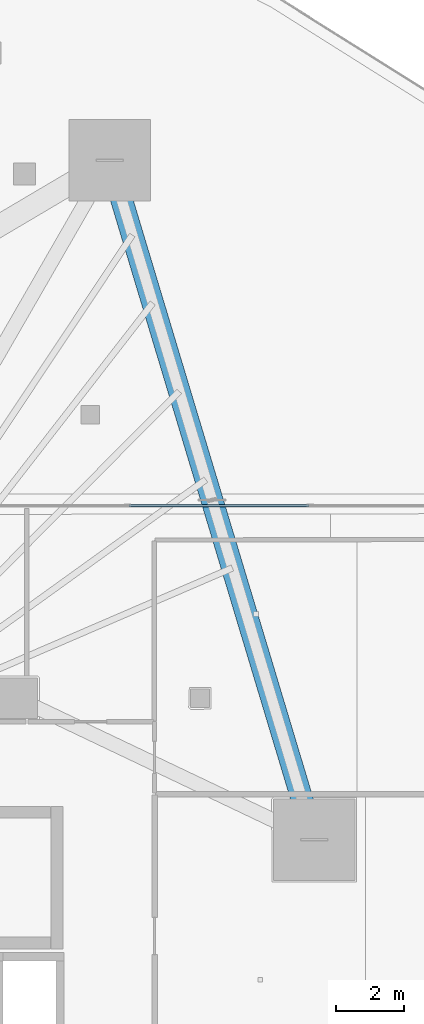
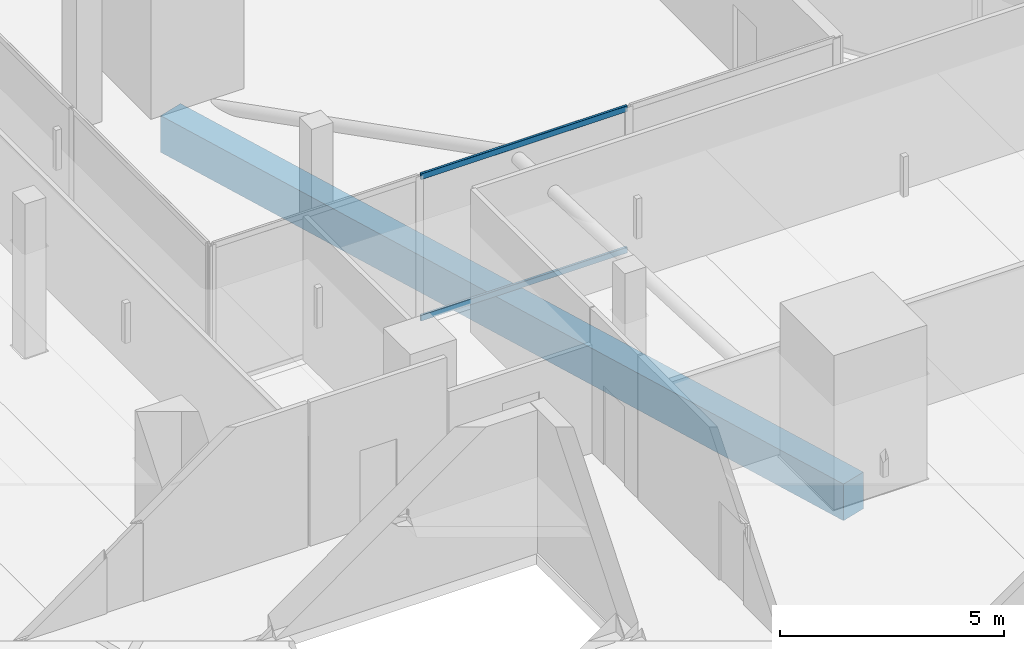
# One storey, part 24 of 47: 2 members, 1 beam, 1 element without a shape of its own.
"""IFC4 building model written with IfcOpenShell, lengths in metres."""

from ifc_helpers import new_model, si_unit, direction, frame, origin, origin_2d, place, context, subcontext, project, spatial, rectangle, hollow_rectangle, extrude, material, layer, layer_set, material_profile, profile_set, type_object, element, aggregate, save


model = new_model("IFC4")

# Units and contexts
model_context = context("Model", 3, precision=1e-05, world=origin(), true_north=direction((0.0, 1.0)))
body_context = subcontext(model_context, "Body", "Model", "MODEL_VIEW")
ifc_project = project(units=[si_unit("LENGTHUNIT", "METRE"), si_unit("AREAUNIT", "SQUARE_METRE"), si_unit("VOLUMEUNIT", "CUBIC_METRE"), si_unit("PLANEANGLEUNIT", "RADIAN"), si_unit("MASSUNIT", "GRAM", prefix="KILO")], contexts=[model_context])

# Site, building, storey
site_placement = place(None, origin())
site = spatial("IfcSite", under=ifc_project, at=site_placement, CompositionType="ELEMENT")
building_placement = place(site_placement, origin())
building = spatial("IfcBuilding", under=site, at=building_placement, Name="Qorvath Tower", CompositionType="ELEMENT")
storey_placement = place(building_placement, frame((0.0, 0.0, 82.800048828125)))
storey = spatial("IfcBuildingStorey", under=building, at=storey_placement, Name="L18", CompositionType="ELEMENT", Elevation=82.800048828125)

# Beam
ifc_material_1 = material(Name="Concrete C50/60", Category="concrete")
ifc_material_profile_1 = material_profile(ifc_material_1, rectangle(XDim=0.64990234375, YDim=1.0, at=origin_2d()), Name="RCB 1000x650")
ifc_profile_set_1 = profile_set([ifc_material_profile_1], Name="Concrete C50/60")
beam_type = type_object("IfcBeamType", Name="BM-RCB1", PredefinedType="SPANDREL", material=ifc_profile_set_1)
beam_placement = place(storey_placement, frame((-8.430419921875, 7.2763671875, -0.780029296875), z_axis=(-0.288118908799, 0.957594639914, 0.0), x_axis=(-0.957594639914, -0.288118908799, 0.0)))
element("IfcBeam", 1, at=beam_placement, inside=storey, type_object=beam_type, Name="Perimeter Loggia Frame Beam MC5-MC6 L18", PredefinedType="SPANDREL", context=body_context, shape_type="SweptSolid", body=[
    extrude(rectangle(XDim=0.64990234375, YDim=1.0, at=origin_2d()), origin(), (0.0, 0.0, 1.0), 20.942626953125),
])

# Curtain wall, members
ifc_material_2 = material(Name="Anodised aluminium and triple low-E glass", Category="aluminium")
ifc_layer = layer(ifc_material_2, 0.179931640625)
ifc_layer_set = layer_set([ifc_layer], Name="CW-SYS-5")
curtain_wall_type = type_object("IfcCurtainWallType", Name="CW-SYS-5", PredefinedType="NOTDEFINED", material=ifc_layer_set)
curtain_wall_placement = place(storey_placement, origin())
curtain_wall = element("IfcCurtainWall", 2, at=curtain_wall_placement, inside=storey, type_object=curtain_wall_type, Name="Curtain Wall CW-5 CW-T-L18-2.1", PredefinedType="NOTDEFINED")
ifc_material_3 = material(Name="Anodised aluminium 6063-T6", Category="aluminium")
ifc_material_profile_2 = material_profile(ifc_material_3, hollow_rectangle(XDim=0.06494140625, YDim=0.159912109375, WallThickness=0.00341796875, InnerFilletRadius=0.00341796875, OuterFilletRadius=0.007080078125, at=origin_2d()), Name="CWT 160x65")
ifc_profile_set_2 = profile_set([ifc_material_profile_2], Name="Anodised aluminium 6063-T6")
member_type = type_object("IfcMemberType", Name="CWT-160", PredefinedType="USERDEFINED", material=ifc_profile_set_2)
member_1_placement = place(storey_placement, frame((-8.584228515625, 17.135986328125, 0.032470703125), z_axis=(-1.0, 0.0, 0.0), x_axis=(0.0, -1.0, 0.0)))
member_1 = element("IfcMember", 3, at=member_1_placement, type_object=member_type, Name="CW-5 transom 2.1", ObjectType="TRANSOM", PredefinedType="USERDEFINED", context=body_context, shape_type="SweptSolid", body=[
    extrude(hollow_rectangle(XDim=0.06494140625, YDim=0.159912109375, WallThickness=0.00341796875, InnerFilletRadius=0.00341796875, OuterFilletRadius=0.007080078125, at=origin_2d()), origin(), (0.0, 0.0, 1.0), 5.319580078125),
])
member_2_placement = place(storey_placement, frame((-8.584228515625, 17.135986328125, 3.887451171875), z_axis=(-1.0, 0.0, 0.0), x_axis=(0.0, -1.0, 0.0)))
member_2 = element("IfcMember", 4, at=member_2_placement, type_object=member_type, Name="CW-5 transom 2.2", ObjectType="TRANSOM", PredefinedType="USERDEFINED", context=body_context, shape_type="SweptSolid", body=[
    extrude(hollow_rectangle(XDim=0.06494140625, YDim=0.159912109375, WallThickness=0.00341796875, InnerFilletRadius=0.00341796875, OuterFilletRadius=0.007080078125, at=origin_2d()), origin(), (0.0, 0.0, 1.0), 5.319580078125),
])
aggregate(curtain_wall, [member_1, member_2])

save(model, "model.ifc")
